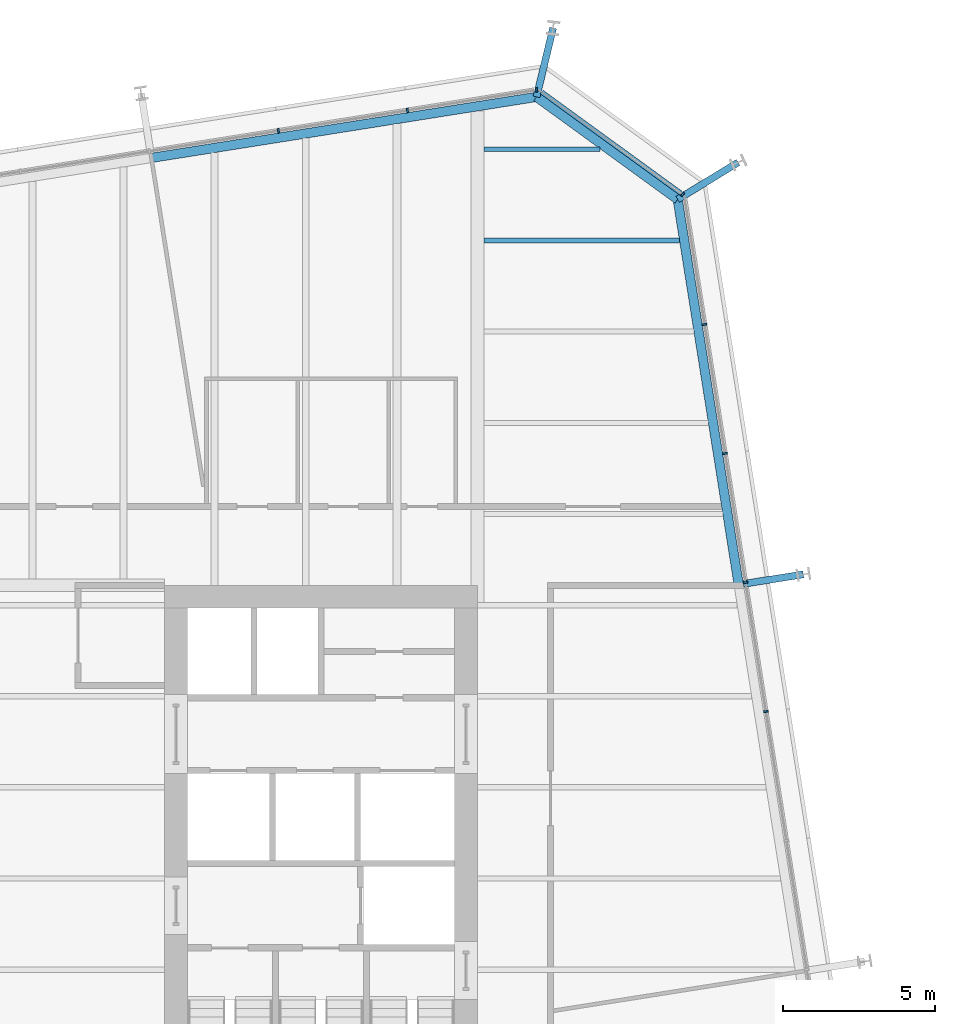
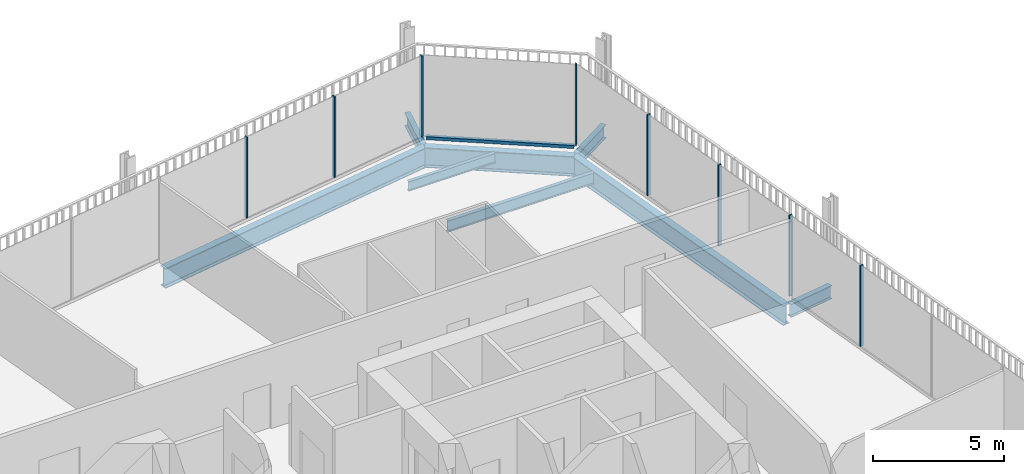
# One storey, part 15 of 21: 9 members, 8 beams, 3 elements without a shape of their own.
"""IFC4 building model written with IfcOpenShell, lengths in metres."""

from ifc_helpers import new_model, si_unit, direction, frame, origin, origin_2d, place, context, subcontext, project, spatial, rectangle, i_section, extrude, material, layer, layer_set, material_profile, profile_set, type_object, element, aggregate, save


model = new_model("IFC4")

# Units and contexts
model_context = context("Model", 3, precision=1e-05, world=origin(), true_north=direction((0.0, 1.0)))
body_context = subcontext(model_context, "Body", "Model", "MODEL_VIEW")
ifc_project = project(units=[si_unit("LENGTHUNIT", "METRE"), si_unit("AREAUNIT", "SQUARE_METRE"), si_unit("VOLUMEUNIT", "CUBIC_METRE"), si_unit("PLANEANGLEUNIT", "RADIAN"), si_unit("MASSUNIT", "GRAM", prefix="KILO")], contexts=[model_context])

# Site, building, storey
site_placement = place(None, origin())
site = spatial("IfcSite", under=ifc_project, at=site_placement, CompositionType="ELEMENT")
building_placement = place(site_placement, origin())
building = spatial("IfcBuilding", under=site, at=building_placement, Name="Millrace Tower", CompositionType="ELEMENT")
storey_placement = place(building_placement, frame((0.0, 0.0, 156.800048828125)))
storey = spatial("IfcBuildingStorey", under=building, at=storey_placement, Name="L35", CompositionType="ELEMENT", Elevation=156.800048828125)

# Curtain wall, members
ifc_material_1 = material(Name="Aluminium and glass", Category="aluminium")
ifc_layer = layer(ifc_material_1, 0.14990234375)
ifc_layer_set = layer_set([ifc_layer], Name="Aluminium and glass")
curtain_wall_type = type_object("IfcCurtainWallType", Name="CW-1 office vision curtain wall", PredefinedType="NOTDEFINED", material=ifc_layer_set)
placement = place(storey_placement, origin())
curtain_wall_1 = element("IfcCurtainWall", 1, at=placement, inside=storey, type_object=curtain_wall_type, Name="Curtain wall C-F04 L35", PredefinedType="NOTDEFINED")
ifc_material_2 = material(Name="Aluminium", Category="aluminium")
ifc_material_profile_1 = material_profile(ifc_material_2, rectangle(XDim=0.06494140625, YDim=0.14990234375, at=origin_2d()))
ifc_profile_set_1 = profile_set([ifc_material_profile_1], Name="Aluminium")
member_type_1 = type_object("IfcMemberType", Name="CW-1 office vision curtain wall mullion", PredefinedType="MULLION", material=ifc_profile_set_1)
member_1_placement = place(storey_placement, frame((24.143310546875, 5.49365234375, 0.139892578125), z_axis=(0.0, 0.0, 1.0), x_axis=(-0.15643447328, 0.98768833929, 0.0)))
member_1 = element("IfcMember", 2, at=member_1_placement, type_object=member_type_1, Name="CW1 mullion C-F04.6", PredefinedType="MULLION", context=body_context, shape_type="SweptSolid", body=[
    extrude(rectangle(XDim=0.06494140625, YDim=0.14990234375, at=origin_2d()), origin(), (0.0, 0.0, 1.0), 3.760009765625),
])
member_2_placement = place(storey_placement, frame((23.470703125, 9.74072265625, 0.139892578125), z_axis=(0.0, 0.0, 1.0), x_axis=(-0.15643447328, 0.98768833929, 0.0)))
member_2 = element("IfcMember", 3, at=member_2_placement, type_object=member_type_1, Name="CW1 mullion C-F04.7", PredefinedType="MULLION", context=body_context, shape_type="SweptSolid", body=[
    extrude(rectangle(XDim=0.06494140625, YDim=0.14990234375, at=origin_2d()), origin(), (0.0, 0.0, 1.0), 3.760009765625),
])
member_3_placement = place(storey_placement, frame((22.798095703125, 13.98779296875, 0.139892578125), z_axis=(0.0, 0.0, 1.0), x_axis=(-0.15643447328, 0.98768833929, 0.0)))
member_3 = element("IfcMember", 4, at=member_3_placement, type_object=member_type_1, Name="CW1 mullion C-F04.8", PredefinedType="MULLION", context=body_context, shape_type="SweptSolid", body=[
    extrude(rectangle(XDim=0.06494140625, YDim=0.14990234375, at=origin_2d()), origin(), (0.0, 0.0, 1.0), 3.760009765625),
])
member_4_placement = place(storey_placement, frame((22.125244140625, 18.23486328125, 0.139892578125), z_axis=(0.0, 0.0, 1.0), x_axis=(-0.15643447328, 0.98768833929, 0.0)))
member_4 = element("IfcMember", 5, at=member_4_placement, type_object=member_type_1, Name="CW1 mullion C-F04.9", PredefinedType="MULLION", context=body_context, shape_type="SweptSolid", body=[
    extrude(rectangle(XDim=0.06494140625, YDim=0.14990234375, at=origin_2d()), origin(), (0.0, 0.0, 1.0), 3.760009765625),
])
aggregate(curtain_wall_1, [member_1, member_2, member_3, member_4])

# Curtain wall, member
curtain_wall_2 = element("IfcCurtainWall", 6, at=placement, inside=storey, type_object=curtain_wall_type, Name="Curtain wall C-F05 L35", PredefinedType="NOTDEFINED")
member_5_placement = place(storey_placement, frame((21.4013671875, 22.517822265625, 0.139892578125), z_axis=(0.0, 0.0, 1.0), x_axis=(-0.809016981623, 0.587785269844, 0.0)))
member_5 = element("IfcMember", 7, at=member_5_placement, type_object=member_type_1, Name="CW1 mullion C-F05.1", PredefinedType="MULLION", context=body_context, shape_type="SweptSolid", body=[
    extrude(rectangle(XDim=0.06494140625, YDim=0.14990234375, at=origin_2d()), origin(), (0.0, 0.0, 1.0), 3.760009765625),
])

# Curtain wall, members
curtain_wall_3 = element("IfcCurtainWall", 8, at=placement, inside=storey, type_object=curtain_wall_type, Name="Curtain wall C-F06 L35", PredefinedType="NOTDEFINED")
member_6_placement = place(storey_placement, frame((16.591796875, 25.956787109375, 0.139892578125), z_axis=(0.0, 0.0, 1.0), x_axis=(-0.98768833929, -0.15643447328, 0.0)))
member_6 = element("IfcMember", 9, at=member_6_placement, type_object=member_type_1, Name="CW1 mullion C-F06.1", PredefinedType="MULLION", context=body_context, shape_type="SweptSolid", body=[
    extrude(rectangle(XDim=0.06494140625, YDim=0.14990234375, at=origin_2d()), origin(), (0.0, 0.0, 1.0), 3.760009765625),
])
member_7_placement = place(storey_placement, frame((12.3447265625, 25.283935546875, 0.139892578125), z_axis=(0.0, 0.0, 1.0), x_axis=(-0.98768833929, -0.15643447328, 0.0)))
member_7 = element("IfcMember", 10, at=member_7_placement, type_object=member_type_1, Name="CW1 mullion C-F06.2", PredefinedType="MULLION", context=body_context, shape_type="SweptSolid", body=[
    extrude(rectangle(XDim=0.06494140625, YDim=0.14990234375, at=origin_2d()), origin(), (0.0, 0.0, 1.0), 3.760009765625),
])
member_8_placement = place(storey_placement, frame((8.09765625, 24.611328125, 0.139892578125), z_axis=(0.0, 0.0, 1.0), x_axis=(-0.98768833929, -0.15643447328, 0.0)))
member_8 = element("IfcMember", 11, at=member_8_placement, type_object=member_type_1, Name="CW1 mullion C-F06.3", PredefinedType="MULLION", context=body_context, shape_type="SweptSolid", body=[
    extrude(rectangle(XDim=0.06494140625, YDim=0.14990234375, at=origin_2d()), origin(), (0.0, 0.0, 1.0), 3.760009765625),
])
aggregate(curtain_wall_3, [member_6, member_7, member_8])

# Member
ifc_material_3 = material(Name="Aluminium", Category="aluminium")
ifc_material_profile_2 = material_profile(ifc_material_3, rectangle(XDim=0.14990234375, YDim=0.139892578125, at=origin_2d()))
ifc_profile_set_2 = profile_set([ifc_material_profile_2], Name="Aluminium")
member_type_2 = type_object("IfcMemberType", Name="CW-1 office vision curtain wall transom", PredefinedType="USERDEFINED", material=ifc_profile_set_2)
member_9_placement = place(storey_placement, frame((21.346923828125, 22.557373046875, 0.070068359375), z_axis=(-0.809013470651, 0.587790102252, 0.0), x_axis=(-0.587790102252, -0.809013470651, 0.0)))
member_9 = element("IfcMember", 12, at=member_9_placement, type_object=member_type_2, Name="CW1 transom C-F05.1", ObjectType="TRANSOM", PredefinedType="USERDEFINED", context=body_context, shape_type="SweptSolid", body=[
    extrude(rectangle(XDim=0.14990234375, YDim=0.139892578125, at=origin_2d()), origin(), (0.0, 0.0, 1.0), 5.669189453125),
])

aggregate(curtain_wall_2, [member_5, member_9])

# Beams
ifc_material_4 = material(Name="Steel ASTM A992 Grade 50", Category="steel")
ifc_material_profile_3 = material_profile(ifc_material_4, i_section(OverallWidth=0.15234375, OverallDepth=0.449462890625, WebThickness=0.007568359375, FlangeThickness=0.0107421875, FilletRadius=0.01025390625, at=origin_2d()))
ifc_profile_set_3 = profile_set([ifc_material_profile_3], Name="Steel ASTM A992 Grade 50")
beam_type_1 = type_object("IfcBeamType", Name="Floor beam W18x35", PredefinedType="JOIST", material=ifc_profile_set_3)
beam_1_placement = place(storey_placement, frame((14.859619140625, 24.0, -0.384765625), z_axis=(1.0, 0.0, 0.0), x_axis=(0.0, 1.0, 0.0)))
element("IfcBeam", 13, at=beam_1_placement, inside=storey, type_object=beam_type_1, Name="BM-C-L35-S1-S038", PredefinedType="JOIST", context=body_context, shape_type="SweptSolid", body=[
    extrude(i_section(OverallWidth=0.15234375, OverallDepth=0.449462890625, WebThickness=0.007568359375, FlangeThickness=0.0107421875, FilletRadius=0.01025390625, at=origin_2d()), origin(), (0.0, 0.0, 1.0), 3.8232421875),
])
ifc_material_5 = material(Name="Steel ASTM A992 Grade 50", Category="steel")
ifc_material_profile_4 = material_profile(ifc_material_5, i_section(OverallWidth=0.1650390625, OverallDepth=0.52587890625, WebThickness=0.0087890625, FlangeThickness=0.011474609375, FilletRadius=0.0126953125, at=origin_2d()))
ifc_profile_set_4 = profile_set([ifc_material_profile_4], Name="Steel ASTM A992 Grade 50")
beam_type_2 = type_object("IfcBeamType", Name="Floor beam W21x44", PredefinedType="JOIST", material=ifc_profile_set_4)
beam_2_placement = place(storey_placement, frame((14.859619140625, 21.0, -0.4228515625), z_axis=(1.0, 0.0, 0.0), x_axis=(0.0, 1.0, 0.0)))
element("IfcBeam", 14, at=beam_2_placement, inside=storey, type_object=beam_type_2, Name="BM-C-L35-S1-S037", PredefinedType="JOIST", context=body_context, shape_type="SweptSolid", body=[
    extrude(i_section(OverallWidth=0.1650390625, OverallDepth=0.52587890625, WebThickness=0.0087890625, FlangeThickness=0.011474609375, FilletRadius=0.0126953125, at=origin_2d()), origin(), (0.0, 0.0, 1.0), 6.440673828125),
])
ifc_material_6 = material(Name="Steel ASTM A992 Grade 50", Category="steel")
ifc_material_profile_5 = material_profile(ifc_material_6, i_section(OverallWidth=0.23046875, OverallDepth=0.6171875, WebThickness=0.01318359375, FlangeThickness=0.022216796875, FilletRadius=0.012939453125, at=origin_2d()))
ifc_profile_set_5 = profile_set([ifc_material_profile_5], Name="Steel ASTM A992 Grade 50")
beam_type_3 = type_object("IfcBeamType", Name="Link beam W24x94", PredefinedType="BEAM", material=ifc_profile_set_5)
beam_3_placement = place(storey_placement, frame((16.5966796875, 25.725830078125, -0.46875), z_axis=(0.233432364948, 0.972373041068, 0.0), x_axis=(-0.972373041068, 0.233432364948, 0.0)))
element("IfcBeam", 15, at=beam_3_placement, inside=storey, type_object=beam_type_3, Name="LNK-C-L35-S1-08", PredefinedType="BEAM", context=body_context, shape_type="SweptSolid", body=[
    extrude(i_section(OverallWidth=0.23046875, OverallDepth=0.6171875, WebThickness=0.01318359375, FlangeThickness=0.022216796875, FilletRadius=0.012939453125, at=origin_2d()), origin(), (0.0, 0.0, 1.0), 2.331298828125),
])
beam_4_placement = place(storey_placement, frame((21.241943359375, 22.35107421875, -0.46875), z_axis=(0.852631355792, 0.522512938711, 0.0), x_axis=(-0.522512938711, 0.852631355792, 0.0)))
element("IfcBeam", 16, at=beam_4_placement, inside=storey, type_object=beam_type_3, Name="LNK-C-L35-S1-09", PredefinedType="BEAM", context=body_context, shape_type="SweptSolid", body=[
    extrude(i_section(OverallWidth=0.23046875, OverallDepth=0.6171875, WebThickness=0.01318359375, FlangeThickness=0.022216796875, FilletRadius=0.012939453125, at=origin_2d()), origin(), (0.0, 0.0, 1.0), 2.3310546875),
])
beam_5_placement = place(storey_placement, frame((23.401611328125, 9.69677734375, -0.46875), z_axis=(0.987678691416, 0.156495375404, 0.0), x_axis=(-0.156495375404, 0.987678691416, 0.0)))
element("IfcBeam", 17, at=beam_5_placement, inside=storey, type_object=beam_type_3, Name="LNK-C-L35-S1-10", PredefinedType="BEAM", context=body_context, shape_type="SweptSolid", body=[
    extrude(i_section(OverallWidth=0.23046875, OverallDepth=0.6171875, WebThickness=0.01318359375, FlangeThickness=0.022216796875, FilletRadius=0.012939453125, at=origin_2d()), origin(), (0.0, 0.0, 1.0), 2.0),
])
ifc_material_7 = material(Name="Steel ASTM A992 Grade 50", Category="steel")
ifc_material_profile_6 = material_profile(ifc_material_7, i_section(OverallWidth=0.307373046875, OverallDepth=0.927001953125, WebThickness=0.01953125, FlangeThickness=0.031982421875, FilletRadius=0.01904296875, at=origin_2d()))
ifc_profile_set_6 = profile_set([ifc_material_profile_6], Name="Steel ASTM A992 Grade 50")
beam_type_4 = type_object("IfcBeamType", Name="Ring beam medium span W36x194", PredefinedType="SPANDREL", material=ifc_profile_set_6)
for number, where, z_axis, x_axis, name in (
    (18, (3.91845703125, 23.718017578125, -0.62353515625), (0.987690996996, 0.156417692264, 0.0), (-0.156417692264, 0.987690996996, 0.0), "RNG-C-L35-S1-07"),
    (19, (21.241943359375, 22.35107421875, -0.62353515625), (0.156436246498, -0.987688058438, 0.0), (0.987688058438, 0.156436246498, 0.0), "RNG-C-L35-S1-09"),
):
    element("IfcBeam", number, at=place(storey_placement, frame(where, z_axis=z_axis, x_axis=x_axis)), inside=storey, type_object=beam_type_4, Name=name, PredefinedType="SPANDREL", context=body_context, shape_type="SweptSolid", body=[
        extrude(i_section(OverallWidth=0.307373046875, OverallDepth=0.927001953125, WebThickness=0.01953125, FlangeThickness=0.031982421875, FilletRadius=0.01904296875, at=origin_2d()), origin(), (0.0, 0.0, 1.0), 12.836181640625),
    ])
ifc_material_8 = material(Name="Steel ASTM A992 Grade 50", Category="steel")
ifc_material_profile_7 = material_profile(ifc_material_8, i_section(OverallWidth=0.307373046875, OverallDepth=0.927001953125, WebThickness=0.01953125, FlangeThickness=0.031982421875, FilletRadius=0.01904296875, at=origin_2d()))
ifc_profile_set_7 = profile_set([ifc_material_profile_7], Name="Steel ASTM A992 Grade 50")
beam_type_5 = type_object("IfcBeamType", Name="Ring beam short span W36x194", PredefinedType="SPANDREL", material=ifc_profile_set_7)
beam_6_placement = place(storey_placement, frame((16.5966796875, 25.725830078125, -0.62353515625), z_axis=(0.809035690681, -0.587759518174, 0.0), x_axis=(0.587759518174, 0.809035690681, 0.0)))
element("IfcBeam", 20, at=beam_6_placement, inside=storey, type_object=beam_type_5, Name="RNG-C-L35-S1-08", PredefinedType="SPANDREL", context=body_context, shape_type="SweptSolid", body=[
    extrude(i_section(OverallWidth=0.307373046875, OverallDepth=0.927001953125, WebThickness=0.01953125, FlangeThickness=0.031982421875, FilletRadius=0.01904296875, at=origin_2d()), origin(), (0.0, 0.0, 1.0), 5.74169921875),
])

save(model, "model.ifc")
